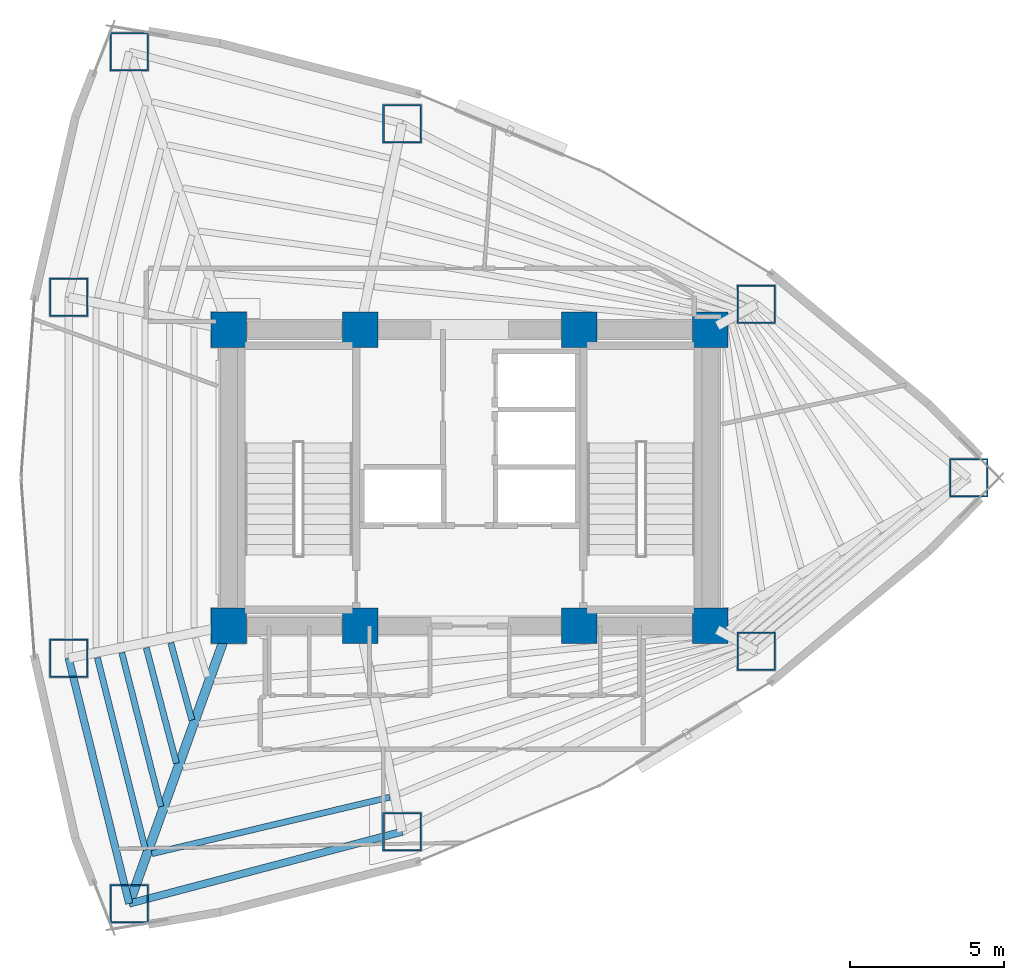
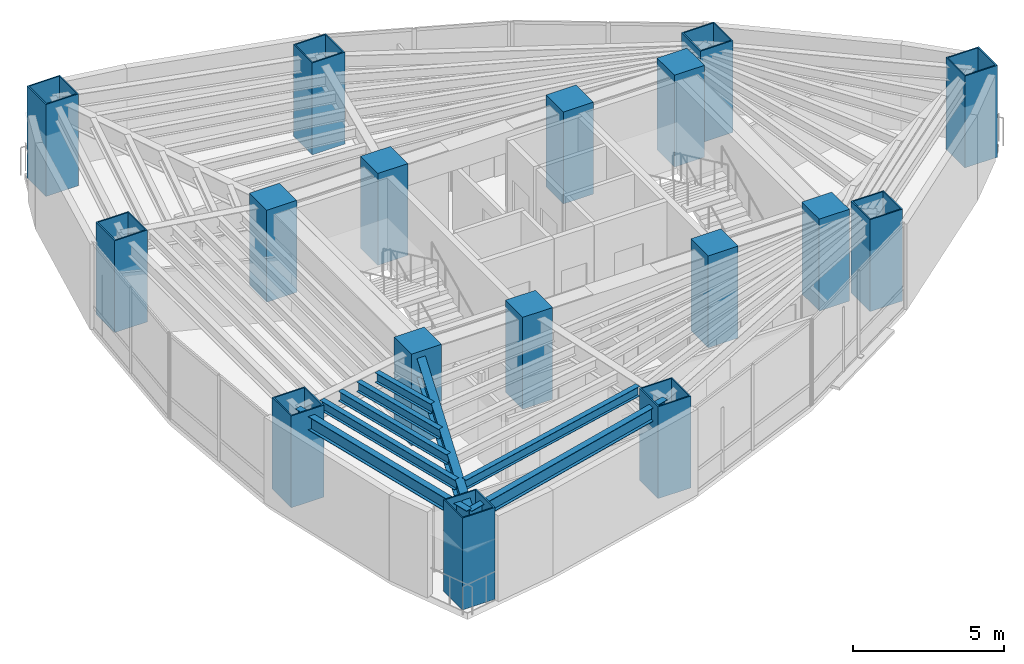
# One storey, part 1 of 19: 17 columns, 8 beams.
"""IFC4 building model written with IfcOpenShell, lengths in metres."""

from ifc_helpers import new_model, si_unit, direction, frame, origin, origin_2d, place, context, subcontext, project, spatial, rectangle, hollow_rectangle, i_section, extrude, material, material_profile, profile_set, type_object, element, save


model = new_model("IFC4")

# Units and contexts
model_context = context("Model", 3, precision=1e-05, world=origin(), true_north=direction((0.0, 1.0)))
body_context = subcontext(model_context, "Body", "Model", "MODEL_VIEW")
ifc_project = project(units=[si_unit("LENGTHUNIT", "METRE"), si_unit("AREAUNIT", "SQUARE_METRE"), si_unit("VOLUMEUNIT", "CUBIC_METRE"), si_unit("PLANEANGLEUNIT", "RADIAN"), si_unit("MASSUNIT", "GRAM", prefix="KILO")], contexts=[model_context])

# Site, building, storey
site_placement = place(None, origin())
site = spatial("IfcSite", under=ifc_project, at=site_placement, CompositionType="ELEMENT")
building_placement = place(site_placement, origin())
building = spatial("IfcBuilding", under=site, at=building_placement, Name="Menara Vayukalpa", CompositionType="ELEMENT")
storey_placement = place(building_placement, frame((0.0, 0.0, 122.580078125)))
storey = spatial("IfcBuildingStorey", under=building, at=storey_placement, Name="L30", CompositionType="ELEMENT", Elevation=122.580078125)

# Columns
ifc_material_1 = material(Name="Concrete C80/95", Category="concrete")
ifc_material_profile_1 = material_profile(ifc_material_1, rectangle(XDim=1.14990234375, YDim=1.14990234375, at=origin_2d()), Name="RC 1150x1150")
ifc_profile_set_1 = profile_set([ifc_material_profile_1], Name="Concrete C80/95")
column_type_1 = type_object("IfcColumnType", Name="COL-CC1", PredefinedType="COLUMN", material=ifc_profile_set_1)
for number, where, z_axis, x_axis, name in (
    (1, (17.800048828125, 17.199951171875, 0.0), (0.0, 0.0, 1.0), (1.0, 0.0, 0.0), "L30 Core Pilaster Column CC1"),
    (2, (22.050048828125, 17.199951171875, 0.0), (0.0, 0.0, 1.0), (1.0, 0.0, 0.0), "L30 Core Pilaster Column CC2"),
    (3, (29.14990234375, 17.199951171875, 0.0), (0.0, 0.0, 1.0), (1.0, 0.0, 0.0), "L30 Core Pilaster Column CC3"),
    (4, (33.39990234375, 17.199951171875, 0.0), (0.0, 0.0, 1.0), (1.0, 0.0, 0.0), "L30 Core Pilaster Column CC4"),
    (5, (17.800048828125, 26.800048828125, 0.0), (0.0, 0.0, 1.0), (1.0, 0.0, 0.0), "L30 Core Pilaster Column CC5"),
    (6, (22.050048828125, 26.800048828125, 0.0), (0.0, 0.0, 1.0), (1.0, 0.0, 0.0), "L30 Core Pilaster Column CC6"),
    (7, (29.14990234375, 26.800048828125, 0.0), (0.0, 0.0, 1.0), (1.0, 0.0, 0.0), "L30 Core Pilaster Column CC7"),
    (8, (33.39990234375, 26.800048828125, 0.0), (0.0, 0.0, 1.0), (1.0, 0.0, 0.0), "L30 Core Pilaster Column CC8"),
):
    element("IfcColumn", number, at=place(storey_placement, frame(where, z_axis=z_axis, x_axis=x_axis)), inside=storey, type_object=column_type_1, Name=name, PredefinedType="COLUMN", context=body_context, shape_type="SweptSolid", body=[
        extrude(rectangle(XDim=1.14990234375, YDim=1.14990234375, at=origin_2d()), origin(), (0.0, 0.0, 1.0), 3.719970703125),
    ])
ifc_material_2 = material(Name="Steel S460", Category="steel")
ifc_material_profile_2 = material_profile(ifc_material_2, hollow_rectangle(XDim=1.25, YDim=1.25, WallThickness=0.050048828125, at=origin_2d()), Name="BOX 1250x1250x50")
ifc_profile_set_2 = profile_set([ifc_material_profile_2], Name="Steel S460")
column_type_2 = type_object("IfcColumnType", Name="COL-MC2", PredefinedType="COLUMN", material=ifc_profile_set_2)
for number, where, z_axis, x_axis, name in (
    (9, (41.761962890625, 22.0, 0.0), (0.0, 0.0, 1.0), (1.0, 0.0, 0.0), "L30 Perimeter Mega Column P01"),
    (10, (34.88671875, 27.62158203125, 0.0), (0.0, 0.0, 1.0), (1.0, 0.0, 0.0), "L30 Perimeter Mega Column P02"),
    (11, (23.408203125, 33.46728515625, 0.0), (0.0, 0.0, 1.0), (1.0, 0.0, 0.0), "L30 Perimeter Mega Column P03"),
    (12, (14.569091796875, 35.79736328125, 0.0), (0.0, 0.0, 1.0), (1.0, 0.0, 0.0), "L30 Perimeter Mega Column P04"),
    (13, (12.606689453125, 27.845703125, 0.0), (0.0, 0.0, 1.0), (1.0, 0.0, 0.0), "L30 Perimeter Mega Column P05"),
    (14, (12.606689453125, 16.154296875, 0.0), (0.0, 0.0, 1.0), (1.0, 0.0, 0.0), "L30 Perimeter Mega Column P06"),
    (15, (14.569091796875, 8.20263671875, 0.0), (0.0, 0.0, 1.0), (1.0, 0.0, 0.0), "L30 Perimeter Mega Column P07"),
    (16, (23.408203125, 10.53271484375, 0.0), (0.0, 0.0, 1.0), (1.0, 0.0, 0.0), "L30 Perimeter Mega Column P08"),
    (17, (34.88671875, 16.37841796875, 0.0), (0.0, 0.0, 1.0), (1.0, 0.0, 0.0), "L30 Perimeter Mega Column P09"),
):
    element("IfcColumn", number, at=place(storey_placement, frame(where, z_axis=z_axis, x_axis=x_axis)), inside=storey, type_object=column_type_2, Name=name, PredefinedType="COLUMN", context=body_context, shape_type="SweptSolid", body=[
        extrude(hollow_rectangle(XDim=1.25, YDim=1.25, WallThickness=0.050048828125, at=origin_2d()), origin(), (0.0, 0.0, 1.0), 3.719970703125),
    ])

# Beams
ifc_material_3 = material(Name="Steel S355", Category="steel")
ifc_material_profile_3 = material_profile(ifc_material_3, i_section(OverallWidth=0.300048828125, OverallDepth=0.800048828125, WebThickness=0.013916015625, FlangeThickness=0.02587890625, at=origin_2d()), Name="WF 800x300x14x26")
ifc_profile_set_3 = profile_set([ifc_material_profile_3], Name="Steel S355")
beam_type_1 = type_object("IfcBeamType", Name="BM-PG3", PredefinedType="BEAM", material=ifc_profile_set_3)
beam_1_placement = place(storey_placement, frame((17.715576171875, 16.964599609375, 3.06982421875), z_axis=(-0.337975542909, -0.941154892882, 0.0), x_axis=(0.941154892882, -0.337975542909, 0.0)))
element("IfcBeam", 18, at=beam_1_placement, inside=storey, type_object=beam_type_1, Name="L30 Primary Radial Girder RG07", PredefinedType="BEAM", context=body_context, shape_type="SweptSolid", body=[
    extrude(i_section(OverallWidth=0.300048828125, OverallDepth=0.800048828125, WebThickness=0.013916015625, FlangeThickness=0.02587890625, at=origin_2d()), origin(), (0.0, 0.0, 1.0), 9.309814453125),
])
ifc_material_4 = material(Name="Steel S355", Category="steel")
ifc_material_profile_4 = material_profile(ifc_material_4, i_section(OverallWidth=0.199951171875, OverallDepth=0.39990234375, WebThickness=0.008056640625, FlangeThickness=0.012939453125, at=origin_2d()), Name="WF 400x200x8x13")
ifc_profile_set_4 = profile_set([ifc_material_profile_4], Name="Steel S355")
beam_type_2 = type_object("IfcBeamType", Name="BM-SJ2", PredefinedType="JOIST", material=ifc_profile_set_4)
beam_2_placement = place(storey_placement, frame((15.917236328125, 16.64794921875, 3.27001953125), z_axis=(0.263922858843, -0.964543790908, 0.0), x_axis=(0.964543790908, 0.263922858843, 0.0)))
element("IfcBeam", 19, at=beam_2_placement, inside=storey, type_object=beam_type_2, Name="L30 Secondary Floor Joist SJ06-2", PredefinedType="JOIST", context=body_context, shape_type="SweptSolid", body=[
    extrude(i_section(OverallWidth=0.199951171875, OverallDepth=0.39990234375, WebThickness=0.008056640625, FlangeThickness=0.012939453125, at=origin_2d()), origin(), (0.0, 0.0, 1.0), 2.590087890625),
])
beam_3_placement = place(storey_placement, frame((15.123779296875, 16.488037109375, 3.27001953125), z_axis=(0.252406469257, -0.967621296933, 0.0), x_axis=(0.967621296933, 0.252406469257, 0.0)))
element("IfcBeam", 20, at=beam_3_placement, inside=storey, type_object=beam_type_2, Name="L30 Secondary Floor Joist SJ06-3", PredefinedType="JOIST", context=body_context, shape_type="SweptSolid", body=[
    extrude(i_section(OverallWidth=0.199951171875, OverallDepth=0.39990234375, WebThickness=0.008056640625, FlangeThickness=0.012939453125, at=origin_2d()), origin(), (0.0, 0.0, 1.0), 3.865234375),
])
beam_4_placement = place(storey_placement, frame((14.330810546875, 16.328369140625, 3.27001953125), z_axis=(0.246311066692, -0.969190826631, 0.0), x_axis=(0.969190826631, 0.246311066692, 0.0)))
element("IfcBeam", 21, at=beam_4_placement, inside=storey, type_object=beam_type_2, Name="L30 Secondary Floor Joist SJ06-4", PredefinedType="JOIST", context=body_context, shape_type="SweptSolid", body=[
    extrude(i_section(OverallWidth=0.199951171875, OverallDepth=0.39990234375, WebThickness=0.008056640625, FlangeThickness=0.012939453125, at=origin_2d()), origin(), (0.0, 0.0, 1.0), 5.140380859375),
])
beam_5_placement = place(storey_placement, frame((13.53857421875, 16.168701171875, 3.27001953125), z_axis=(0.242481900969, -0.970155929582, 0.0), x_axis=(0.970155929582, 0.242481900969, 0.0)))
element("IfcBeam", 22, at=beam_5_placement, inside=storey, type_object=beam_type_2, Name="L30 Secondary Floor Joist SJ06-5", PredefinedType="JOIST", context=body_context, shape_type="SweptSolid", body=[
    extrude(i_section(OverallWidth=0.199951171875, OverallDepth=0.39990234375, WebThickness=0.008056640625, FlangeThickness=0.012939453125, at=origin_2d()), origin(), (0.0, 0.0, 1.0), 6.41552734375),
])
beam_6_placement = place(storey_placement, frame((15.30078125, 9.819091796875, 3.27001953125), z_axis=(0.97293603101, 0.231074619036, 0.0), x_axis=(-0.231074619036, 0.97293603101, 0.0)))
element("IfcBeam", 23, at=beam_6_placement, inside=storey, type_object=beam_type_2, Name="L30 Secondary Floor Joist SJ07-5", PredefinedType="JOIST", context=body_context, shape_type="SweptSolid", body=[
    extrude(i_section(OverallWidth=0.199951171875, OverallDepth=0.39990234375, WebThickness=0.008056640625, FlangeThickness=0.012939453125, at=origin_2d()), origin(), (0.0, 0.0, 1.0), 7.9208984375),
])
ifc_material_5 = material(Name="Steel S355", Category="steel")
ifc_material_profile_5 = material_profile(ifc_material_5, i_section(OverallWidth=0.239990234375, OverallDepth=0.550048828125, WebThickness=0.010986328125, FlangeThickness=0.01904296875, at=origin_2d()), Name="WF 550x240x11x19")
ifc_profile_set_5 = profile_set([ifc_material_profile_5], Name="Steel S355")
beam_type_3 = type_object("IfcBeamType", Name="BM-SP2", PredefinedType="SPANDREL", material=ifc_profile_set_5)
beam_7_placement = place(storey_placement, frame((12.606689453125, 16.154296875, 3.19482421875), z_axis=(0.239602739234, -0.970871014786, 0.0), x_axis=(0.970871014786, 0.239602739234, 0.0)))
element("IfcBeam", 24, at=beam_7_placement, inside=storey, type_object=beam_type_3, Name="L30 Perimeter Spandrel Beam SP06", PredefinedType="SPANDREL", context=body_context, shape_type="SweptSolid", body=[
    extrude(i_section(OverallWidth=0.239990234375, OverallDepth=0.550048828125, WebThickness=0.010986328125, FlangeThickness=0.01904296875, at=origin_2d()), origin(), (0.0, 0.0, 1.0), 8.190185546875),
])
beam_8_placement = place(storey_placement, frame((14.569091796875, 8.20263671875, 3.19482421875), z_axis=(0.966966857313, 0.254902131921, 0.0), x_axis=(-0.254902131921, 0.966966857313, 0.0)))
element("IfcBeam", 25, at=beam_8_placement, inside=storey, type_object=beam_type_3, Name="L30 Perimeter Spandrel Beam SP07", PredefinedType="SPANDREL", context=body_context, shape_type="SweptSolid", body=[
    extrude(i_section(OverallWidth=0.239990234375, OverallDepth=0.550048828125, WebThickness=0.010986328125, FlangeThickness=0.01904296875, at=origin_2d()), origin(), (0.0, 0.0, 1.0), 9.14111328125),
])

save(model, "model.ifc")
